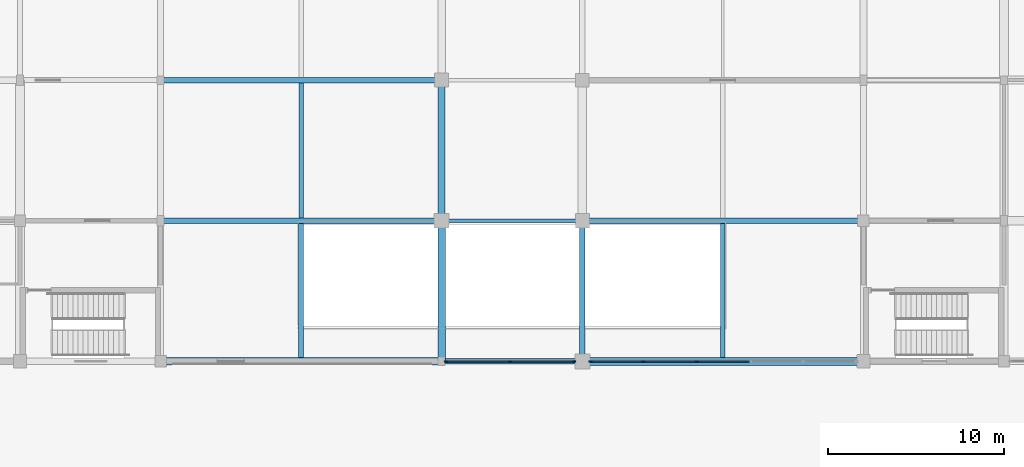
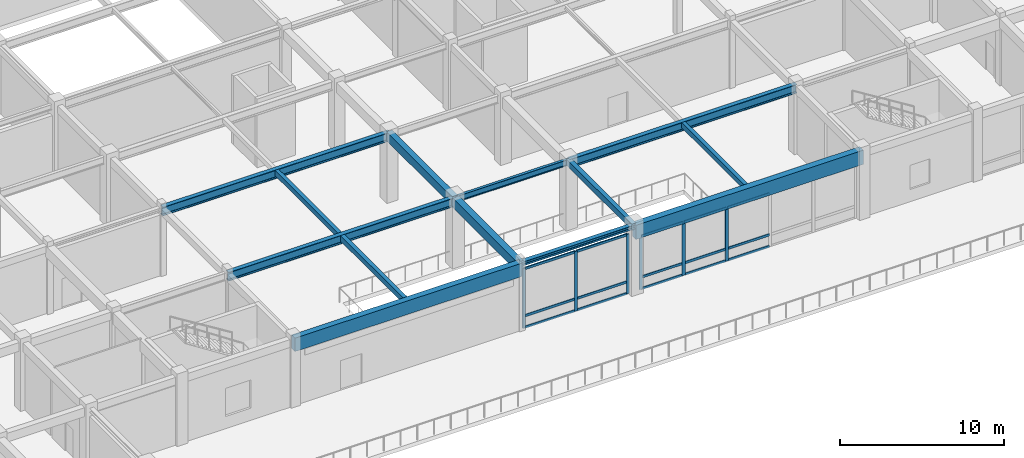
# One storey, part 7 of 36: 21 members, 13 beams, 2 elements without a shape of their own.
"""IFC4 building model written with IfcOpenShell, lengths in metres."""

from ifc_helpers import new_model, si_unit, direction, frame, origin, origin_2d, place, context, subcontext, project, spatial, rectangle, i_section, extrude, material, material_profile, profile_set, type_object, element, aggregate, save


model = new_model("IFC4")

# Units and contexts
model_context = context("Model", 3, precision=1e-05, world=origin(), true_north=direction((0.0, 1.0)))
body_context = subcontext(model_context, "Body", "Model", "MODEL_VIEW")
ifc_project = project(units=[si_unit("LENGTHUNIT", "METRE"), si_unit("AREAUNIT", "SQUARE_METRE"), si_unit("VOLUMEUNIT", "CUBIC_METRE"), si_unit("PLANEANGLEUNIT", "RADIAN"), si_unit("MASSUNIT", "GRAM", prefix="KILO")], contexts=[model_context])

# Site, building, storey
site_placement = place(None, origin())
site = spatial("IfcSite", under=ifc_project, at=site_placement, CompositionType="ELEMENT")
building_placement = place(site_placement, origin())
building = spatial("IfcBuilding", under=site, at=building_placement, Name="Vellmiral Cinema and Media Centre", CompositionType="ELEMENT")
storey_placement = place(building_placement, frame((0.0, 0.0, 5.39990234375)))
storey = spatial("IfcBuildingStorey", under=building, at=storey_placement, Name="L01", CompositionType="ELEMENT", Elevation=5.39990234375)

# Beams
ifc_material_1 = material(Name="Concrete C40/50", Category="concrete")
ifc_material_profile_1 = material_profile(ifc_material_1, rectangle(XDim=0.300048828125, YDim=0.449951171875, at=origin_2d()), Name="RC 300x450")
ifc_profile_set_1 = profile_set([ifc_material_profile_1], Name="Concrete C40/50")
beam_type_1 = type_object("IfcBeamType", Name="BM-RC-300x450", PredefinedType="BEAM", material=ifc_profile_set_1)
beam_1_placement = place(storey_placement, frame((86.39990234375, 43.199951171875, 4.81005859375), z_axis=(0.0, 1.0, 0.0), x_axis=(-1.0, 0.0, 0.0)))
element("IfcBeam", 1, at=beam_1_placement, inside=storey, type_object=beam_type_1, Name="Grid Beam L01-Y257", PredefinedType="BEAM", context=body_context, shape_type="SweptSolid", body=[
    extrude(rectangle(XDim=0.300048828125, YDim=0.449951171875, at=origin_2d()), origin(), (0.0, 0.0, 1.0), 8.0),
])
ifc_material_2 = material(Name="Concrete C40/50", Category="concrete")
ifc_material_profile_2 = material_profile(ifc_material_2, rectangle(XDim=0.39990234375, YDim=0.64990234375, at=origin_2d()), Name="RC 400x650")
ifc_profile_set_2 = profile_set([ifc_material_profile_2], Name="Concrete C40/50")
beam_type_2 = type_object("IfcBeamType", Name="BM-RC-400x650", PredefinedType="BEAM", material=ifc_profile_set_2)
beam_2_placement = place(storey_placement, frame((78.39990234375, 51.199951171875, 4.710205078125), z_axis=(0.0, 1.0, 0.0), x_axis=(-1.0, 0.0, 0.0)))
element("IfcBeam", 2, at=beam_2_placement, inside=storey, type_object=beam_type_2, Name="Grid Beam L01-Y251", PredefinedType="BEAM", context=body_context, shape_type="SweptSolid", body=[
    extrude(rectangle(XDim=0.39990234375, YDim=0.64990234375, at=origin_2d()), origin(), (0.0, 0.0, 1.0), 8.0),
])
ifc_material_3 = material(Name="Concrete C40/50", Category="concrete")
ifc_material_profile_3 = material_profile(ifc_material_3, rectangle(XDim=0.449951171875, YDim=0.699951171875, at=origin_2d()), Name="RC 450x700")
ifc_profile_set_3 = profile_set([ifc_material_profile_3], Name="Concrete C40/50")
beam_type_3 = type_object("IfcBeamType", Name="BM-RC-450x700", PredefinedType="BEAM", material=ifc_profile_set_3)
beam_3_placement = place(storey_placement, frame((78.39990234375, 43.199951171875, 4.68505859375), z_axis=(0.0, 1.0, 0.0), x_axis=(-1.0, 0.0, 0.0)))
element("IfcBeam", 3, at=beam_3_placement, inside=storey, type_object=beam_type_3, Name="Grid Beam L01-Y250", PredefinedType="BEAM", context=body_context, shape_type="SweptSolid", body=[
    extrude(rectangle(XDim=0.449951171875, YDim=0.699951171875, at=origin_2d()), origin(), (0.0, 0.0, 1.0), 8.0),
])

# Curtain wall, members
ifc_material_4 = material(Name="Thermally Broken Aluminium and Triple Glazing", Category="aluminium")
curtain_wall_type_1 = type_object("IfcCurtainWallType", Name="CW-FOYER-PROM", PredefinedType="USERDEFINED", material=ifc_material_4)
curtain_wall_1_placement = place(storey_placement, origin())
curtain_wall_1 = element("IfcCurtainWall", 4, at=curtain_wall_1_placement, inside=storey, type_object=curtain_wall_type_1, Name="Curtain Wall L01-B013", ObjectType="STICK CURTAIN WALL", PredefinedType="USERDEFINED")
ifc_material_5 = material(Name="Thermally Broken Anodised Aluminium", Category="aluminium")
ifc_material_profile_4 = material_profile(ifc_material_5, rectangle(XDim=0.080078125, YDim=0.199951171875, at=origin_2d()), Name="MULL 80x200")
ifc_profile_set_4 = profile_set([ifc_material_profile_4], Name="Thermally Broken Anodised Aluminium")
member_type_1 = type_object("IfcMemberType", Name="CWM-80x200", PredefinedType="MULLION", material=ifc_profile_set_4)
member_1_placement = place(storey_placement, frame((78.639892578125, 43.199951171875, 0.0), z_axis=(0.0, 0.0, 1.0), x_axis=(0.0, 1.0, 0.0)))
member_1 = element("IfcMember", 5, at=member_1_placement, type_object=member_type_1, Name="CW-02 mullion 1", PredefinedType="MULLION", context=body_context, shape_type="SweptSolid", body=[
    extrude(rectangle(XDim=0.080078125, YDim=0.199951171875, at=origin_2d()), origin(), (0.0, 0.0, 1.0), 4.440185546875),
])
member_2_placement = place(storey_placement, frame((82.28759765625, 43.199951171875, 0.0), z_axis=(0.0, 0.0, 1.0), x_axis=(0.0, 1.0, 0.0)))
member_2 = element("IfcMember", 6, at=member_2_placement, type_object=member_type_1, Name="CW-02 mullion 2", PredefinedType="MULLION", context=body_context, shape_type="SweptSolid", body=[
    extrude(rectangle(XDim=0.080078125, YDim=0.199951171875, at=origin_2d()), origin(), (0.0, 0.0, 1.0), 4.440185546875),
])
member_3_placement = place(storey_placement, frame((85.93505859375, 43.199951171875, 0.0), z_axis=(0.0, 0.0, 1.0), x_axis=(0.0, 1.0, 0.0)))
member_3 = element("IfcMember", 7, at=member_3_placement, type_object=member_type_1, Name="CW-02 mullion 3", PredefinedType="MULLION", context=body_context, shape_type="SweptSolid", body=[
    extrude(rectangle(XDim=0.080078125, YDim=0.199951171875, at=origin_2d()), origin(), (0.0, 0.0, 1.0), 4.440185546875),
])

ifc_material_6 = material(Name="Thermally Broken Aluminium and Triple Glazing", Category="aluminium")
curtain_wall_type_2 = type_object("IfcCurtainWallType", Name="CW-FOYER-ARCH", PredefinedType="USERDEFINED", material=ifc_material_6)
curtain_wall_2_placement = place(storey_placement, origin())
curtain_wall_2 = element("IfcCurtainWall", 8, at=curtain_wall_2_placement, inside=storey, type_object=curtain_wall_type_2, Name="Curtain Wall L01-B014", ObjectType="STICK CURTAIN WALL", PredefinedType="USERDEFINED")
ifc_material_7 = material(Name="Thermally Broken Anodised Aluminium", Category="aluminium")
ifc_material_profile_5 = material_profile(ifc_material_7, rectangle(XDim=0.080078125, YDim=0.219970703125, at=origin_2d()), Name="MULL 80x220")
ifc_profile_set_5 = profile_set([ifc_material_profile_5], Name="Thermally Broken Anodised Aluminium")
member_type_2 = type_object("IfcMemberType", Name="CWM-80x220", PredefinedType="MULLION", material=ifc_profile_set_5)
member_4_placement = place(storey_placement, frame((86.864990234375, 43.199951171875, 0.0), z_axis=(0.0, 0.0, 1.0), x_axis=(0.0, 1.0, 0.0)))
member_4 = element("IfcMember", 9, at=member_4_placement, type_object=member_type_2, Name="CW-01 mullion 1", PredefinedType="MULLION", context=body_context, shape_type="SweptSolid", body=[
    extrude(rectangle(XDim=0.080078125, YDim=0.219970703125, at=origin_2d()), origin(), (0.0, 0.0, 1.0), 3.97509765625),
])
member_5_placement = place(storey_placement, frame((89.864990234375, 43.199951171875, 0.0), z_axis=(0.0, 0.0, 1.0), x_axis=(0.0, 1.0, 0.0)))
member_5 = element("IfcMember", 10, at=member_5_placement, type_object=member_type_2, Name="CW-01 mullion 2", PredefinedType="MULLION", context=body_context, shape_type="SweptSolid", body=[
    extrude(rectangle(XDim=0.080078125, YDim=0.219970703125, at=origin_2d()), origin(), (0.0, 0.0, 1.0), 3.97509765625),
])
member_6_placement = place(storey_placement, frame((92.905029296875, 43.199951171875, 0.0), z_axis=(0.0, 0.0, 1.0), x_axis=(0.0, 1.0, 0.0)))
member_6 = element("IfcMember", 11, at=member_6_placement, type_object=member_type_2, Name="CW-01 mullion 3", PredefinedType="MULLION", context=body_context, shape_type="SweptSolid", body=[
    extrude(rectangle(XDim=0.080078125, YDim=0.219970703125, at=origin_2d()), origin(), (0.0, 0.0, 1.0), 3.97509765625),
])

# Member
ifc_material_8 = material(Name="Thermally Broken Anodised Aluminium", Category="aluminium")
ifc_material_profile_6 = material_profile(ifc_material_8, rectangle(XDim=0.080078125, YDim=0.179931640625, at=origin_2d()), Name="MULL 80x180")
ifc_profile_set_6 = profile_set([ifc_material_profile_6], Name="Thermally Broken Anodised Aluminium")
member_type_3 = type_object("IfcMemberType", Name="CWT-80x180", PredefinedType="USERDEFINED", material=ifc_profile_set_6)
member_7_placement = place(storey_placement, frame((78.679931640625, 43.199951171875, 0.0400390625), z_axis=(1.0, 0.0, 0.0), x_axis=(0.0, 1.0, 0.0)))
member_7 = element("IfcMember", 12, at=member_7_placement, type_object=member_type_3, Name="CW-02 transom 1.1", ObjectType="TRANSOM", PredefinedType="USERDEFINED", context=body_context, shape_type="SweptSolid", body=[
    extrude(rectangle(XDim=0.080078125, YDim=0.179931640625, at=origin_2d()), origin(), (0.0, 0.0, 1.0), 3.567626953125),
])

member_8_placement = place(storey_placement, frame((78.679931640625, 43.199951171875, 0.900146484375), z_axis=(1.0, 0.0, 0.0), x_axis=(0.0, 1.0, 0.0)))
member_8 = element("IfcMember", 13, at=member_8_placement, type_object=member_type_3, Name="CW-02 transom 1.2", ObjectType="TRANSOM", PredefinedType="USERDEFINED", context=body_context, shape_type="SweptSolid", body=[
    extrude(rectangle(XDim=0.080078125, YDim=0.179931640625, at=origin_2d()), origin(), (0.0, 0.0, 1.0), 3.567626953125),
])

member_9_placement = place(storey_placement, frame((78.679931640625, 43.199951171875, 4.400146484375), z_axis=(1.0, 0.0, 0.0), x_axis=(0.0, 1.0, 0.0)))
member_9 = element("IfcMember", 14, at=member_9_placement, type_object=member_type_3, Name="CW-02 transom 1.3", ObjectType="TRANSOM", PredefinedType="USERDEFINED", context=body_context, shape_type="SweptSolid", body=[
    extrude(rectangle(XDim=0.080078125, YDim=0.179931640625, at=origin_2d()), origin(), (0.0, 0.0, 1.0), 3.567626953125),
])

member_10_placement = place(storey_placement, frame((82.327392578125, 43.199951171875, 0.0400390625), z_axis=(1.0, 0.0, 0.0), x_axis=(0.0, 1.0, 0.0)))
member_10 = element("IfcMember", 15, at=member_10_placement, type_object=member_type_3, Name="CW-02 transom 2.1", ObjectType="TRANSOM", PredefinedType="USERDEFINED", context=body_context, shape_type="SweptSolid", body=[
    extrude(rectangle(XDim=0.080078125, YDim=0.179931640625, at=origin_2d()), origin(), (0.0, 0.0, 1.0), 3.567626953125),
])

member_11_placement = place(storey_placement, frame((82.327392578125, 43.199951171875, 0.900146484375), z_axis=(1.0, 0.0, 0.0), x_axis=(0.0, 1.0, 0.0)))
member_11 = element("IfcMember", 16, at=member_11_placement, type_object=member_type_3, Name="CW-02 transom 2.2", ObjectType="TRANSOM", PredefinedType="USERDEFINED", context=body_context, shape_type="SweptSolid", body=[
    extrude(rectangle(XDim=0.080078125, YDim=0.179931640625, at=origin_2d()), origin(), (0.0, 0.0, 1.0), 3.567626953125),
])

member_12_placement = place(storey_placement, frame((82.327392578125, 43.199951171875, 4.400146484375), z_axis=(1.0, 0.0, 0.0), x_axis=(0.0, 1.0, 0.0)))
member_12 = element("IfcMember", 17, at=member_12_placement, type_object=member_type_3, Name="CW-02 transom 2.3", ObjectType="TRANSOM", PredefinedType="USERDEFINED", context=body_context, shape_type="SweptSolid", body=[
    extrude(rectangle(XDim=0.080078125, YDim=0.179931640625, at=origin_2d()), origin(), (0.0, 0.0, 1.0), 3.567626953125),
])

aggregate(curtain_wall_1, [member_1, member_2, member_3, member_7, member_8, member_9, member_10, member_11, member_12])

member_13_placement = place(storey_placement, frame((86.905029296875, 43.199951171875, 0.0400390625), z_axis=(1.0, 0.0, 0.0), x_axis=(0.0, 1.0, 0.0)))
member_13 = element("IfcMember", 18, at=member_13_placement, type_object=member_type_3, Name="CW-01 transom 1.1", ObjectType="TRANSOM", PredefinedType="USERDEFINED", context=body_context, shape_type="SweptSolid", body=[
    extrude(rectangle(XDim=0.080078125, YDim=0.179931640625, at=origin_2d()), origin(), (0.0, 0.0, 1.0), 2.919921875),
])

member_14_placement = place(storey_placement, frame((86.905029296875, 43.199951171875, 0.900146484375), z_axis=(1.0, 0.0, 0.0), x_axis=(0.0, 1.0, 0.0)))
member_14 = element("IfcMember", 19, at=member_14_placement, type_object=member_type_3, Name="CW-01 transom 1.2", ObjectType="TRANSOM", PredefinedType="USERDEFINED", context=body_context, shape_type="SweptSolid", body=[
    extrude(rectangle(XDim=0.080078125, YDim=0.179931640625, at=origin_2d()), origin(), (0.0, 0.0, 1.0), 2.919921875),
])

member_15_placement = place(storey_placement, frame((86.905029296875, 43.199951171875, 3.93505859375), z_axis=(1.0, 0.0, 0.0), x_axis=(0.0, 1.0, 0.0)))
member_15 = element("IfcMember", 20, at=member_15_placement, type_object=member_type_3, Name="CW-01 transom 1.3", ObjectType="TRANSOM", PredefinedType="USERDEFINED", context=body_context, shape_type="SweptSolid", body=[
    extrude(rectangle(XDim=0.080078125, YDim=0.179931640625, at=origin_2d()), origin(), (0.0, 0.0, 1.0), 2.919921875),
])

member_16_placement = place(storey_placement, frame((89.905029296875, 43.199951171875, 0.0400390625), z_axis=(1.0, 0.0, 0.0), x_axis=(0.0, 1.0, 0.0)))
member_16 = element("IfcMember", 21, at=member_16_placement, type_object=member_type_3, Name="CW-01 transom 2.1", ObjectType="TRANSOM", PredefinedType="USERDEFINED", context=body_context, shape_type="SweptSolid", body=[
    extrude(rectangle(XDim=0.080078125, YDim=0.179931640625, at=origin_2d()), origin(), (0.0, 0.0, 1.0), 2.9599609375),
])

member_17_placement = place(storey_placement, frame((89.905029296875, 43.199951171875, 0.900146484375), z_axis=(1.0, 0.0, 0.0), x_axis=(0.0, 1.0, 0.0)))
member_17 = element("IfcMember", 22, at=member_17_placement, type_object=member_type_3, Name="CW-01 transom 2.2", ObjectType="TRANSOM", PredefinedType="USERDEFINED", context=body_context, shape_type="SweptSolid", body=[
    extrude(rectangle(XDim=0.080078125, YDim=0.179931640625, at=origin_2d()), origin(), (0.0, 0.0, 1.0), 2.9599609375),
])

member_18_placement = place(storey_placement, frame((89.905029296875, 43.199951171875, 3.93505859375), z_axis=(1.0, 0.0, 0.0), x_axis=(0.0, 1.0, 0.0)))
member_18 = element("IfcMember", 23, at=member_18_placement, type_object=member_type_3, Name="CW-01 transom 2.3", ObjectType="TRANSOM", PredefinedType="USERDEFINED", context=body_context, shape_type="SweptSolid", body=[
    extrude(rectangle(XDim=0.080078125, YDim=0.179931640625, at=origin_2d()), origin(), (0.0, 0.0, 1.0), 2.9599609375),
])

member_19_placement = place(storey_placement, frame((92.945068359375, 43.199951171875, 0.0400390625), z_axis=(1.0, 0.0, 0.0), x_axis=(0.0, 1.0, 0.0)))
member_19 = element("IfcMember", 24, at=member_19_placement, type_object=member_type_3, Name="CW-01 transom 3.1", ObjectType="TRANSOM", PredefinedType="USERDEFINED", context=body_context, shape_type="SweptSolid", body=[
    extrude(rectangle(XDim=0.080078125, YDim=0.179931640625, at=origin_2d()), origin(), (0.0, 0.0, 1.0), 2.9599609375),
])

member_20_placement = place(storey_placement, frame((92.945068359375, 43.199951171875, 0.900146484375), z_axis=(1.0, 0.0, 0.0), x_axis=(0.0, 1.0, 0.0)))
member_20 = element("IfcMember", 25, at=member_20_placement, type_object=member_type_3, Name="CW-01 transom 3.2", ObjectType="TRANSOM", PredefinedType="USERDEFINED", context=body_context, shape_type="SweptSolid", body=[
    extrude(rectangle(XDim=0.080078125, YDim=0.179931640625, at=origin_2d()), origin(), (0.0, 0.0, 1.0), 2.9599609375),
])

member_21_placement = place(storey_placement, frame((92.945068359375, 43.199951171875, 3.93505859375), z_axis=(1.0, 0.0, 0.0), x_axis=(0.0, 1.0, 0.0)))
member_21 = element("IfcMember", 26, at=member_21_placement, type_object=member_type_3, Name="CW-01 transom 3.3", ObjectType="TRANSOM", PredefinedType="USERDEFINED", context=body_context, shape_type="SweptSolid", body=[
    extrude(rectangle(XDim=0.080078125, YDim=0.179931640625, at=origin_2d()), origin(), (0.0, 0.0, 1.0), 2.9599609375),
])

aggregate(curtain_wall_2, [member_4, member_5, member_6, member_13, member_14, member_15, member_16, member_17, member_18, member_19, member_20, member_21])

# Beams
ifc_material_9 = material(Name="Concrete C40/50", Category="concrete")
ifc_material_profile_7 = material_profile(ifc_material_9, rectangle(XDim=0.260009765625, YDim=0.3798828125, at=origin_2d()), Name="RC 260x380")
ifc_profile_set_7 = profile_set([ifc_material_profile_7], Name="Concrete C40/50")
beam_type_4 = type_object("IfcBeamType", Name="JST-RC-260x380", PredefinedType="JOIST", material=ifc_profile_set_7)
beam_4_placement = place(storey_placement, frame((70.39990234375, 51.35009765625, 4.84521484375), z_axis=(0.0, 1.0, 0.0), x_axis=(-1.0, 0.0, 0.0)))
element("IfcBeam", 27, at=beam_4_placement, inside=storey, type_object=beam_type_4, Name="Secondary Floor Joist L01-007", PredefinedType="JOIST", context=body_context, shape_type="SweptSolid", body=[
    extrude(rectangle(XDim=0.260009765625, YDim=0.3798828125, at=origin_2d()), origin(), (0.0, 0.0, 1.0), 7.699951171875),
])
beam_5_placement = place(storey_placement, frame((94.39990234375, 43.425048828125, 4.84521484375), z_axis=(0.0, 1.0, 0.0), x_axis=(-1.0, 0.0, 0.0)))
element("IfcBeam", 28, at=beam_5_placement, inside=storey, type_object=beam_type_4, Name="Secondary Floor Joist L01-013", PredefinedType="JOIST", context=body_context, shape_type="SweptSolid", body=[
    extrude(rectangle(XDim=0.260009765625, YDim=0.3798828125, at=origin_2d()), origin(), (0.0, 0.0, 1.0), 7.625),
])
ifc_material_10 = material(Name="Concrete C40/50", Category="concrete")
ifc_material_profile_8 = material_profile(ifc_material_10, rectangle(XDim=0.280029296875, YDim=0.39990234375, at=origin_2d()), Name="RC 280x400")
ifc_profile_set_8 = profile_set([ifc_material_profile_8], Name="Concrete C40/50")
beam_type_5 = type_object("IfcBeamType", Name="JST-RC-280x400", PredefinedType="JOIST", material=ifc_profile_set_8)
beam_6_placement = place(storey_placement, frame((70.39990234375, 43.409912109375, 4.835205078125), z_axis=(0.0, 1.0, 0.0), x_axis=(-1.0, 0.0, 0.0)))
element("IfcBeam", 29, at=beam_6_placement, inside=storey, type_object=beam_type_5, Name="Secondary Floor Joist L01-006", PredefinedType="JOIST", context=body_context, shape_type="SweptSolid", body=[
    extrude(rectangle(XDim=0.280029296875, YDim=0.39990234375, at=origin_2d()), origin(), (0.0, 0.0, 1.0), 7.64013671875),
])
ifc_material_11 = material(Name="Steel S355", Category="steel")
ifc_material_profile_9 = material_profile(ifc_material_11, i_section(OverallWidth=0.300048828125, OverallDepth=0.300048828125, WebThickness=0.010986328125, FlangeThickness=0.01904296875, FilletRadius=0.027099609375, at=origin_2d()), Name="HEB 300")
ifc_profile_set_9 = profile_set([ifc_material_profile_9], Name="Steel S355")
beam_type_6 = type_object("IfcBeamType", Name="SBM-HEB300", PredefinedType="SPANDREL", material=ifc_profile_set_9)
beam_7_placement = place(storey_placement, frame((78.39990234375, 43.199951171875, 4.885009765625), z_axis=(1.0, 0.0, 0.0), x_axis=(0.0, 1.0, 0.0)))
element("IfcBeam", 30, at=beam_7_placement, inside=storey, type_object=beam_type_6, Name="Grid Beam L01-X038", PredefinedType="SPANDREL", context=body_context, shape_type="SweptSolid", body=[
    extrude(i_section(OverallWidth=0.300048828125, OverallDepth=0.300048828125, WebThickness=0.010986328125, FlangeThickness=0.01904296875, FilletRadius=0.027099609375, at=origin_2d()), origin(), (0.0, 0.0, 1.0), 8.0),
])
ifc_material_12 = material(Name="Steel S355", Category="steel")
ifc_material_profile_10 = material_profile(ifc_material_12, i_section(OverallWidth=0.300048828125, OverallDepth=0.64990234375, WebThickness=0.01611328125, FlangeThickness=0.031005859375, FilletRadius=0.027099609375, at=origin_2d()), Name="HEB 650")
ifc_profile_set_10 = profile_set([ifc_material_profile_10], Name="Steel S355")
beam_type_7 = type_object("IfcBeamType", Name="SBM-HEB650", PredefinedType="BEAM", material=ifc_profile_set_10)
for number, where, z_axis, x_axis, name in (
    (31, (62.39990234375, 51.199951171875, 4.710205078125), (1.0, 0.0, 0.0), (0.0, 1.0, 0.0), "Grid Beam L01-X048"),
    (32, (86.39990234375, 51.199951171875, 4.710205078125), (1.0, 0.0, 0.0), (0.0, 1.0, 0.0), "Grid Beam L01-X050"),
    (33, (62.39990234375, 59.199951171875, 4.710205078125), (1.0, 0.0, 0.0), (0.0, 1.0, 0.0), "Grid Beam L01-X062"),
):
    element("IfcBeam", number, at=place(storey_placement, frame(where, z_axis=z_axis, x_axis=x_axis)), inside=storey, type_object=beam_type_7, Name=name, PredefinedType="BEAM", context=body_context, shape_type="SweptSolid", body=[
        extrude(i_section(OverallWidth=0.300048828125, OverallDepth=0.64990234375, WebThickness=0.01611328125, FlangeThickness=0.031005859375, FilletRadius=0.027099609375, at=origin_2d()), origin(), (0.0, 0.0, 1.0), 16.0),
    ])
ifc_material_13 = material(Name="Steel S355", Category="steel")
ifc_material_profile_11 = material_profile(ifc_material_13, i_section(OverallWidth=0.18994140625, OverallDepth=0.449951171875, WebThickness=0.009521484375, FlangeThickness=0.0146484375, FilletRadius=0.02099609375, at=origin_2d()), Name="IPE 450")
ifc_profile_set_11 = profile_set([ifc_material_profile_11], Name="Steel S355")
beam_type_8 = type_object("IfcBeamType", Name="SBM-IPE450", PredefinedType="BEAM", material=ifc_profile_set_11)
beam_8_placement = place(storey_placement, frame((78.39990234375, 51.199951171875, 4.81005859375), z_axis=(1.0, 0.0, 0.0), x_axis=(0.0, 1.0, 0.0)))
element("IfcBeam", 34, at=beam_8_placement, inside=storey, type_object=beam_type_8, Name="Grid Beam L01-X049", PredefinedType="BEAM", context=body_context, shape_type="SweptSolid", body=[
    extrude(i_section(OverallWidth=0.18994140625, OverallDepth=0.449951171875, WebThickness=0.009521484375, FlangeThickness=0.0146484375, FilletRadius=0.02099609375, at=origin_2d()), origin(), (0.0, 0.0, 1.0), 8.0),
])
ifc_material_14 = material(Name="Concrete C40/50", Category="concrete")
ifc_material_profile_12 = material_profile(ifc_material_14, rectangle(XDim=0.449951171875, YDim=1.050048828125, at=origin_2d()), Name="RC 450x1050")
ifc_profile_set_12 = profile_set([ifc_material_profile_12], Name="Concrete C40/50")
beam_type_9 = type_object("IfcBeamType", Name="SPD-RCG-450x1050", PredefinedType="SPANDREL", material=ifc_profile_set_12)
beam_9_placement = place(storey_placement, frame((86.39990234375, 43.199951171875, 4.510009765625), z_axis=(1.0, 0.0, 0.0), x_axis=(0.0, 1.0, 0.0)))
element("IfcBeam", 35, at=beam_9_placement, inside=storey, type_object=beam_type_9, Name="Grid Beam L01-X039", PredefinedType="SPANDREL", context=body_context, shape_type="SweptSolid", body=[
    extrude(rectangle(XDim=0.449951171875, YDim=1.050048828125, at=origin_2d()), origin(), (0.0, 0.0, 1.0), 16.0),
])
ifc_material_15 = material(Name="Vosges Red Sandstone Masonry", Category="masonry")
ifc_material_profile_13 = material_profile(ifc_material_15, rectangle(XDim=0.419921875, YDim=1.0, at=origin_2d()), Name="SAND 420x1000")
ifc_profile_set_13 = profile_set([ifc_material_profile_13], Name="Vosges Red Sandstone Masonry")
beam_type_10 = type_object("IfcBeamType", Name="SPD-SANDG-420x1000", PredefinedType="SPANDREL", material=ifc_profile_set_13)
beam_10_placement = place(storey_placement, frame((62.39990234375, 43.199951171875, 4.53515625), z_axis=(1.0, 0.0, 0.0), x_axis=(0.0, 1.0, 0.0)))
element("IfcBeam", 36, at=beam_10_placement, inside=storey, type_object=beam_type_10, Name="Grid Beam L01-X037", PredefinedType="SPANDREL", context=body_context, shape_type="SweptSolid", body=[
    extrude(rectangle(XDim=0.419921875, YDim=1.0, at=origin_2d()), origin(), (0.0, 0.0, 1.0), 16.0),
])

save(model, "model.ifc")
